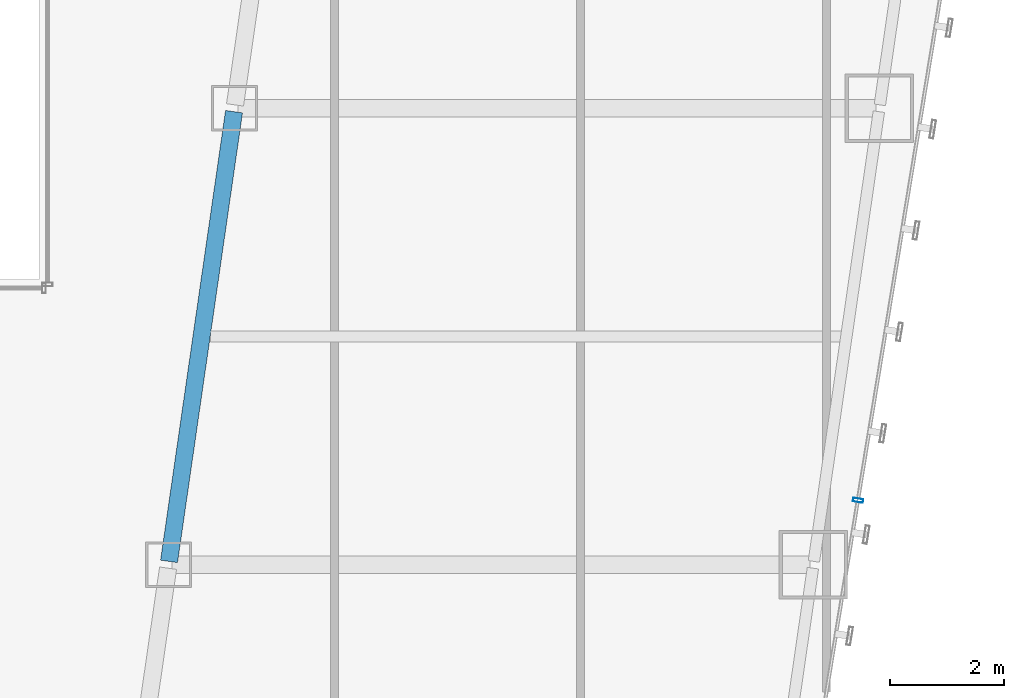
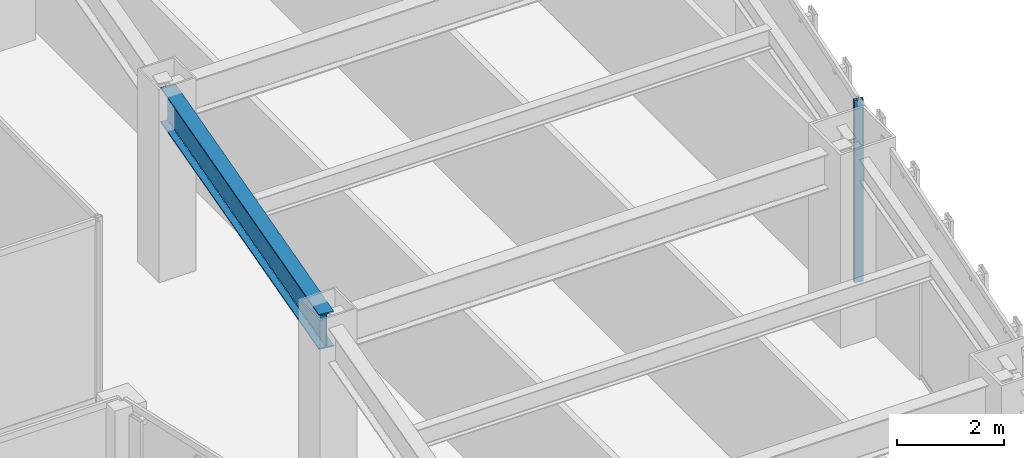
# One storey, part 17 of 47: 1 beam, 1 member, 1 element without a shape of its own.
"""IFC4 building model written with IfcOpenShell, lengths in metres."""

from ifc_helpers import new_model, si_unit, direction, frame, origin, origin_2d, place, context, subcontext, project, spatial, hollow_rectangle, i_section, extrude, material, material_profile, profile_set, type_object, element, aggregate, save


model = new_model("IFC4")

# Units and contexts
model_context = context("Model", 3, precision=1e-05, world=origin(), true_north=direction((0.0, 1.0)))
body_context = subcontext(model_context, "Body", "Model", "MODEL_VIEW")
ifc_project = project(units=[si_unit("LENGTHUNIT", "METRE"), si_unit("AREAUNIT", "SQUARE_METRE"), si_unit("VOLUMEUNIT", "CUBIC_METRE"), si_unit("PLANEANGLEUNIT", "RADIAN"), si_unit("MASSUNIT", "GRAM", prefix="KILO")], contexts=[model_context])

# Site, building, storey
site_placement = place(None, origin())
site = spatial("IfcSite", under=ifc_project, at=site_placement, CompositionType="ELEMENT")
building_placement = place(site_placement, origin())
building = spatial("IfcBuilding", under=site, at=building_placement, Name="Saevonmaru Cultural Tower", CompositionType="ELEMENT")
storey_placement = place(building_placement, frame((0.0, 0.0, 56.0)))
storey = spatial("IfcBuildingStorey", under=building, at=storey_placement, Name="L11", CompositionType="ELEMENT", Elevation=56.0)

# Beam
ifc_material_1 = material(Name="Steel SM420", Category="steel")
ifc_material_profile_1 = material_profile(ifc_material_1, i_section(OverallWidth=0.300048828125, OverallDepth=0.800048828125, WebThickness=0.013916015625, FlangeThickness=0.02587890625, FilletRadius=0.028076171875, at=origin_2d()), Name="H-800x300x14x26")
ifc_profile_set_1 = profile_set([ifc_material_profile_1], Name="Steel SM420")
beam_type = type_object("IfcBeamType", Name="BM-G-H800", PredefinedType="BEAM", material=ifc_profile_set_1)
beam_placement = place(storey_placement, frame((38.08056640625, 16.059326171875, 3.75), z_axis=(0.143022161059, 0.989719486241, 0.0), x_axis=(-0.989719486241, 0.143022161059, 0.0)))
element("IfcBeam", 1, at=beam_placement, inside=storey, type_object=beam_type, Name="L11 East Atrium Girder 3", PredefinedType="BEAM", context=body_context, shape_type="SweptSolid", body=[
    extrude(i_section(OverallWidth=0.300048828125, OverallDepth=0.800048828125, WebThickness=0.013916015625, FlangeThickness=0.02587890625, FilletRadius=0.028076171875, at=origin_2d()), origin(), (0.0, 0.0, 1.0), 7.963134765625),
])

# Curtain wall, member
ifc_material_2 = material(Name="Satin Bronze Anodised Aluminium", Category="aluminium")
curtain_wall_type = type_object("IfcCurtainWallType", Name="CW-TYP-A", PredefinedType="NOTDEFINED", material=ifc_material_2)
curtain_wall_placement = place(storey_placement, origin())
curtain_wall = element("IfcCurtainWall", 2, at=curtain_wall_placement, inside=storey, type_object=curtain_wall_type, Name="L11 Unitised Curtain Wall E8", PredefinedType="NOTDEFINED")
ifc_material_profile_2 = material_profile(ifc_material_2, hollow_rectangle(XDim=0.06494140625, YDim=0.179931640625, WallThickness=0.00390625, at=origin_2d()), Name="ALU-MULL-180x65x4")
ifc_profile_set_2 = profile_set([ifc_material_profile_2], Name="Satin Bronze Anodised Aluminium")
member_type = type_object("IfcMemberType", Name="ML-CW-180x65", PredefinedType="MULLION", material=ifc_profile_set_2)
member_placement = place(storey_placement, frame((50.15478515625, 17.129638671875, 0.0), z_axis=(0.0, 0.0, 1.0), x_axis=(0.161708868641, 0.986838508472, 0.0)))
member = element("IfcMember", 3, at=member_placement, type_object=member_type, Name="CW-TW-L11-E8 mullion 2", PredefinedType="MULLION", context=body_context, shape_type="SweptSolid", body=[
    extrude(hollow_rectangle(XDim=0.06494140625, YDim=0.179931640625, WallThickness=0.00390625, at=origin_2d()), origin(), (0.0, 0.0, 1.0), 4.14990234375),
])
aggregate(curtain_wall, [member])

save(model, "model.ifc")
